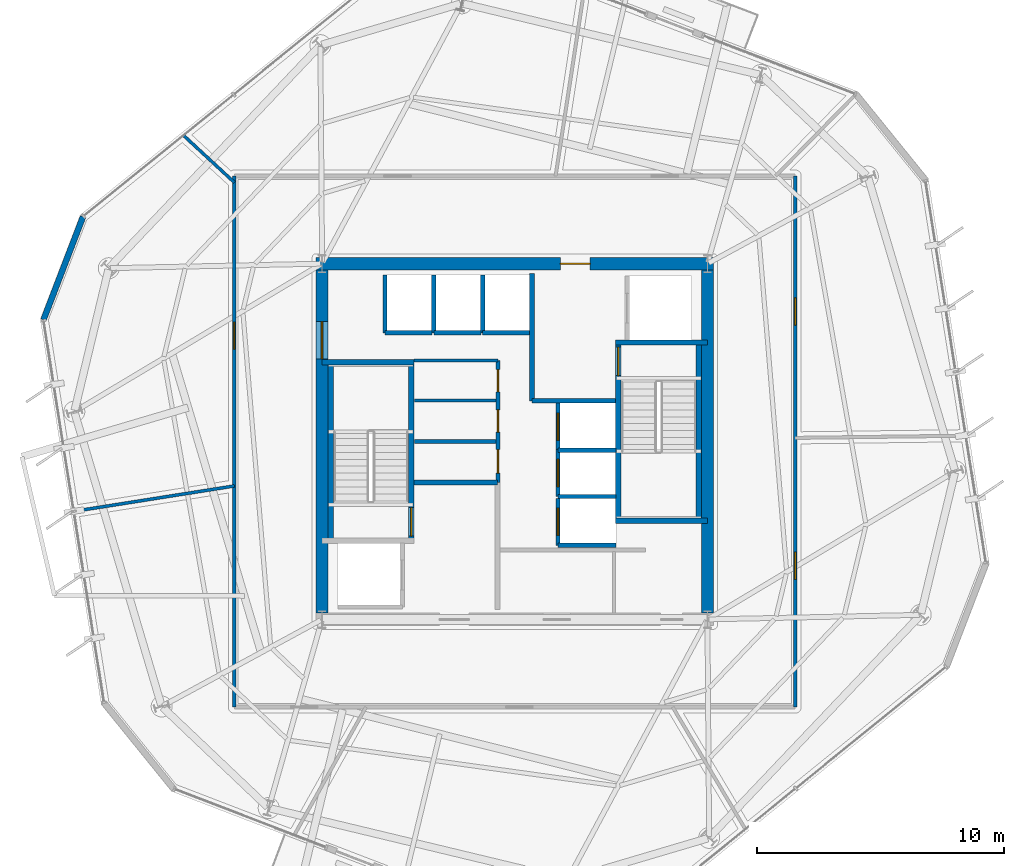
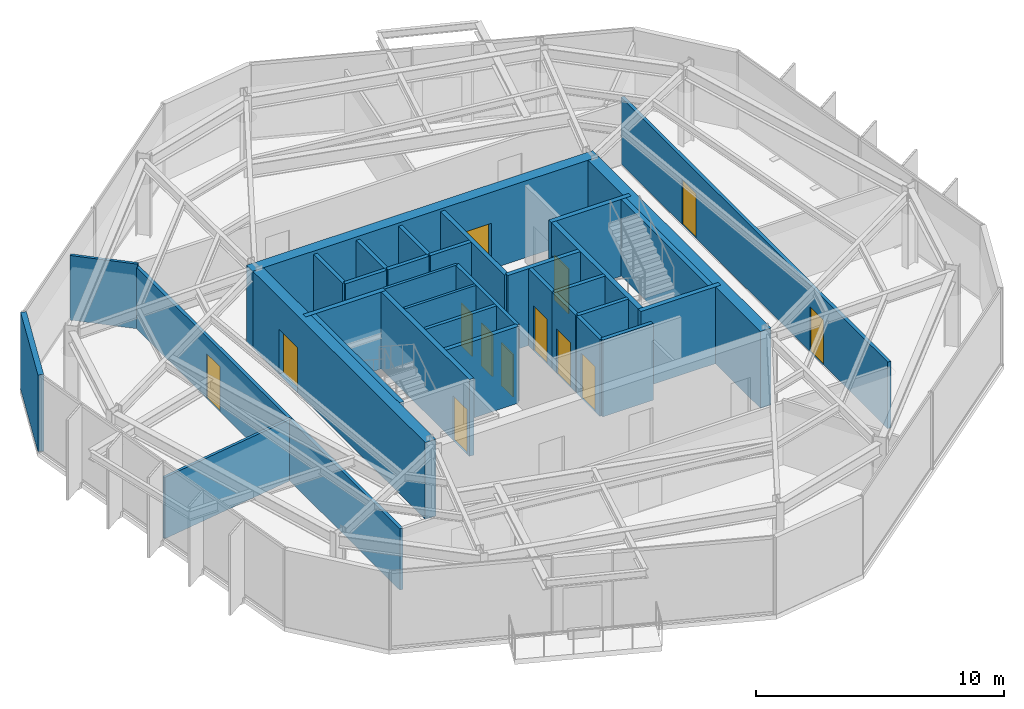
# One storey, part 7 of 12: 34 walls, 13 doors, 13 openings.
"""IFC4 building model written with IfcOpenShell, lengths in metres."""

from ifc_helpers import new_model, si_unit, direction, frame, frame_2d, origin, place, context, subcontext, project, spatial, rectangle, extrude, material, layer, layer_set, type_object, element, fill, save


model = new_model("IFC4")

# Units and contexts
model_context = context("Model", 3, precision=1e-05, world=origin(), true_north=direction((0.0, 1.0)))
body_context = subcontext(model_context, "Body", "Model", "MODEL_VIEW")
ifc_project = project(units=[si_unit("LENGTHUNIT", "METRE"), si_unit("AREAUNIT", "SQUARE_METRE"), si_unit("VOLUMEUNIT", "CUBIC_METRE"), si_unit("PLANEANGLEUNIT", "RADIAN"), si_unit("MASSUNIT", "GRAM", prefix="KILO")], contexts=[model_context])

# Site, building, storey
site_placement = place(None, origin())
site = spatial("IfcSite", under=ifc_project, at=site_placement, CompositionType="ELEMENT")
building_placement = place(site_placement, origin())
building = spatial("IfcBuilding", under=site, at=building_placement, Name="Kranzbogen Civic Tower", CompositionType="ELEMENT")
storey_placement = place(building_placement, frame((0.0, 0.0, 180.800048828125)))
storey = spatial("IfcBuildingStorey", under=building, at=storey_placement, Name="L43", CompositionType="ELEMENT", Elevation=180.800048828125)

# Wall, openings, doors
ifc_material_1 = material(Name="Double-Stud Acoustic Gypsum Partition")
ifc_layer_1 = layer(ifc_material_1, 0.14990234375, Name="Double-Stud Acoustic Gypsum Partition")
ifc_layer_set_1 = layer_set([ifc_layer_1], Name="Double-Stud Acoustic Gypsum Partition")
wall_type_1 = type_object("IfcWallType", Name="Acoustic Corridor and Clinical Partition 150 mm", PredefinedType="PARTITIONING", material=ifc_layer_set_1)
wall_1_placement = place(storey_placement, frame((36.35009765625, 35.75, 0.0), z_axis=(0.0, 0.0, 1.0), x_axis=(0.0, -1.0, 0.0)))
wall_1 = element("IfcWall", 1, at=wall_1_placement, inside=storey, type_object=wall_type_1, Name="L43 corridor partition 02", PredefinedType="PARTITIONING", context=body_context, shape_type="SweptSolid", body=[
    extrude(rectangle(XDim=21.5, YDim=0.14990234375, at=frame_2d((10.75, 0.0))), origin(), (0.0, 0.0, 1.0), 3.280029296875),
])
opening_1_placement = place(wall_1_placement, frame((15.22802734375, 0.0, 0.0)))
opening_1 = element("IfcOpeningElement", 2, at=opening_1_placement, cuts=wall_1, Name="Opening D-COR60", PredefinedType="OPENING", context=body_context, shape_type="SweptSolid", body=[
    extrude(rectangle(XDim=1.10009765625, YDim=2.199951171875, at=frame_2d((0.550048828125, 1.10009765625))), frame((0.0, 0.0849609375, 0.0), z_axis=(0.0, -1.0, 0.0), x_axis=(1.0, 0.0, 0.0)), (0.0, 0.0, 1.0), 0.169921875),
])
opening_2_placement = place(wall_1_placement, frame((4.93505859375, 0.0, 0.0)))
opening_2 = element("IfcOpeningElement", 3, at=opening_2_placement, cuts=wall_1, Name="Opening D-COR60", PredefinedType="OPENING", context=body_context, shape_type="SweptSolid", body=[
    extrude(rectangle(XDim=1.10009765625, YDim=2.199951171875, at=frame_2d((0.550048828125, 1.10009765625))), frame((0.0, 0.0849609375, 0.0), z_axis=(0.0, -1.0, 0.0), x_axis=(1.0, 0.0, 0.0)), (0.0, 0.0, 1.0), 0.169921875),
])
ifc_material_2 = material(Name="Oak Timber and Fire Core", Category="wood")
door_type_1 = type_object("IfcDoorType", Name="Corridor Acoustic Fire Door 1100x2200", OperationType="NOTDEFINED", PredefinedType="DOOR", material=ifc_material_2)
door_1_placement = place(opening_1_placement, origin())
door_1 = element("IfcDoor", 4, at=door_1_placement, inside=storey, type_object=door_type_1, Name="L43 Cultural Screening Clubroom door", OperationType="SINGLE_SWING_RIGHT", OverallHeight=2.199951171875, OverallWidth=1.10009765625, PredefinedType="DOOR", context=body_context, shape_type="SweptSolid", body=[
    extrude(rectangle(XDim=1.10009765625, YDim=2.199951171875, at=frame_2d((0.550048828125, 1.10009765625))), frame((0.0, 0.02490234375, 0.0), z_axis=(0.0, -1.0, 0.0), x_axis=(1.0, 0.0, 0.0)), (0.0, 0.0, 1.0), 0.050048828125),
])
fill(opening_1, door_1)
door_2_placement = place(opening_2_placement, origin())
door_2 = element("IfcDoor", 5, at=door_2_placement, inside=storey, type_object=door_type_1, Name="L43 Public Delegation Reception door", OperationType="SINGLE_SWING_LEFT", OverallHeight=2.199951171875, OverallWidth=1.10009765625, PredefinedType="DOOR", context=body_context, shape_type="SweptSolid", body=[
    extrude(rectangle(XDim=1.10009765625, YDim=2.199951171875, at=frame_2d((0.550048828125, 1.10009765625))), frame((0.0, 0.02490234375, 0.0), z_axis=(0.0, -1.0, 0.0), x_axis=(1.0, 0.0, 0.0)), (0.0, 0.0, 1.0), 0.050048828125),
])
fill(opening_2, door_2)

# Wall, opening, door
wall_2_placement = place(storey_placement, frame((13.64990234375, 14.25, 0.0), z_axis=(0.0, 0.0, 1.0), x_axis=(0.0, 1.0, 0.0)))
wall_2 = element("IfcWall", 6, at=wall_2_placement, inside=storey, type_object=wall_type_1, Name="L43 corridor partition 04", PredefinedType="PARTITIONING", context=body_context, shape_type="SweptSolid", body=[
    extrude(rectangle(XDim=21.5, YDim=0.14990234375, at=frame_2d((10.75, 0.0))), origin(), (0.0, 0.0, 1.0), 3.02001953125),
])
opening_3_placement = place(wall_2_placement, frame((14.488037109375, 0.0, 0.0)))
opening_3 = element("IfcOpeningElement", 7, at=opening_3_placement, cuts=wall_2, Name="Opening D-COR60", PredefinedType="OPENING", context=body_context, shape_type="SweptSolid", body=[
    extrude(rectangle(XDim=1.10009765625, YDim=2.199951171875, at=frame_2d((0.550048828125, 1.10009765625))), frame((0.0, 0.0849609375, 0.0), z_axis=(0.0, -1.0, 0.0), x_axis=(1.0, 0.0, 0.0)), (0.0, 0.0, 1.0), 0.169921875),
])
door_3_placement = place(opening_3_placement, origin())
door_3 = element("IfcDoor", 8, at=door_3_placement, inside=storey, type_object=door_type_1, Name="L43 Operations Security Control Room door", OperationType="SINGLE_SWING_RIGHT", OverallHeight=2.199951171875, OverallWidth=1.10009765625, PredefinedType="DOOR", context=body_context, shape_type="SweptSolid", body=[
    extrude(rectangle(XDim=1.10009765625, YDim=2.199951171875, at=frame_2d((0.550048828125, 1.10009765625))), frame((0.0, 0.02490234375, 0.0), z_axis=(0.0, -1.0, 0.0), x_axis=(1.0, 0.0, 0.0)), (0.0, 0.0, 1.0), 0.050048828125),
])
fill(opening_3, door_3)

# Walls
ifc_material_3 = material(Name="Insulated Metal-Stud Gypsum Partition")
ifc_layer_2 = layer(ifc_material_3, 0.125, Name="Insulated Metal-Stud Gypsum Partition")
ifc_layer_set_2 = layer_set([ifc_layer_2], Name="Insulated Metal-Stud Gypsum Partition")
wall_type_2 = type_object("IfcWallType", Name="Acoustic Inter-Room Partition 125 mm", PredefinedType="PARTITIONING", material=ifc_layer_set_2)
wall_3_placement = place(storey_placement, frame((20.919921875, 28.280029296875, 0.0), z_axis=(0.0, 0.0, 1.0), x_axis=(1.0, 0.0, 0.0)))
element("IfcWall", 9, at=wall_3_placement, inside=storey, type_object=wall_type_2, Name="L43 core auxiliary North wall", PredefinedType="PARTITIONING", context=body_context, shape_type="SweptSolid", body=[
    extrude(rectangle(XDim=3.405029296875, YDim=0.125, at=frame_2d((1.70263671875, 0.0))), origin(), (0.0, 0.0, 1.0), 3.780029296875),
])
wall_4_placement = place(storey_placement, frame((20.949951171875, 26.659912109375, 0.0), z_axis=(0.0, 0.0, 1.0), x_axis=(1.0, 0.0, 0.0)))
element("IfcWall", 10, at=wall_4_placement, inside=storey, type_object=wall_type_2, Name="L43 core auxiliary partition 3", PredefinedType="PARTITIONING", context=body_context, shape_type="SweptSolid", body=[
    extrude(rectangle(XDim=3.300048828125, YDim=0.125, at=frame_2d((1.64990234375, 0.0))), origin(), (0.0, 0.0, 1.0), 3.780029296875),
])
wall_5_placement = place(storey_placement, frame((13.64990234375, 35.488037109375, 0.0), z_axis=(0.0, 0.0, 1.0), x_axis=(-0.7343000475, 0.678825043911, 0.0)))
element("IfcWall", 11, at=wall_5_placement, inside=storey, type_object=wall_type_2, Name="L43 radial room partition 02", PredefinedType="PARTITIONING", context=body_context, shape_type="SweptSolid", body=[
    extrude(rectangle(XDim=2.790283203125, YDim=0.125, at=frame_2d((1.39501953125, 0.0))), origin(), (0.0, 0.0, 1.0), 3.179931640625),
])
wall_6_placement = place(storey_placement, frame((13.64990234375, 23.201904296875, 0.0), z_axis=(0.0, 0.0, 1.0), x_axis=(-0.987709828036, -0.156298738322, 0.0)))
element("IfcWall", 12, at=wall_6_placement, inside=storey, type_object=wall_type_2, Name="L43 radial room partition 03", PredefinedType="PARTITIONING", context=body_context, shape_type="SweptSolid", body=[
    extrude(rectangle(XDim=6.5634765625, YDim=0.125, at=frame_2d((3.28173828125, 0.0))), origin(), (0.0, 0.0, 1.0), 3.02001953125),
])

# Wall, opening, door
ifc_material_4 = material(Name="Concrete C45/55", Category="concrete")
ifc_layer_3 = layer(ifc_material_4, 0.5, Name="Concrete C45/55")
ifc_layer_set_3 = layer_set([ifc_layer_3], Name="Concrete C45/55")
wall_type_3 = type_object("IfcWallType", Name="Central Core Shear Wall 500 mm", PredefinedType="SHEAR", material=ifc_layer_set_3)
wall_7_placement = place(storey_placement, frame((33.050048828125, 32.199951171875, 0.0), z_axis=(0.0, 0.0, 1.0), x_axis=(-1.0, 0.0, 0.0)))
wall_7 = element("IfcWall", 13, at=wall_7_placement, inside=storey, type_object=wall_type_3, Name="L43 central core North shear wall", PredefinedType="SHEAR", context=body_context, shape_type="SweptSolid", body=[
    extrude(rectangle(XDim=16.10009765625, YDim=0.5, at=frame_2d((8.050048828125, 0.0))), origin(), (0.0, 0.0, 1.0), 3.780029296875),
])
opening_4_placement = place(wall_7_placement, frame((5.0, 0.0, 0.0)))
opening_4 = element("IfcOpeningElement", 14, at=opening_4_placement, cuts=wall_7, Name="Opening D-EX120", PredefinedType="OPENING", context=body_context, shape_type="SweptSolid", body=[
    extrude(rectangle(XDim=1.199951171875, YDim=2.25, at=frame_2d((0.60009765625, 1.125))), frame((0.0, 0.260009765625, 0.0), z_axis=(0.0, -1.0, 0.0), x_axis=(1.0, 0.0, 0.0)), (0.0, 0.0, 1.0), 0.52001953125),
])
ifc_material_5 = material(Name="Steel S355", Category="steel")
door_type_2 = type_object("IfcDoorType", Name="Exit Passageway Fire Door 1200x2250", OperationType="NOTDEFINED", PredefinedType="DOOR", material=ifc_material_5)
door_4_placement = place(opening_4_placement, origin())
door_4 = element("IfcDoor", 15, at=door_4_placement, inside=storey, type_object=door_type_2, Name="L43 East firefighting lobby corridor door", OperationType="SINGLE_SWING_RIGHT", OverallHeight=2.25, OverallWidth=1.199951171875, PredefinedType="DOOR", context=body_context, shape_type="SweptSolid", body=[
    extrude(rectangle(XDim=1.199951171875, YDim=2.25, at=frame_2d((0.60009765625, 1.125))), frame((0.0, 0.02490234375, 0.0), z_axis=(0.0, -1.0, 0.0), x_axis=(1.0, 0.0, 0.0)), (0.0, 0.0, 1.0), 0.050048828125),
])
fill(opening_4, door_4)

wall_8_placement = place(storey_placement, frame((17.199951171875, 31.949951171875, 0.0), z_axis=(0.0, 0.0, 1.0), x_axis=(0.0, -1.0, 0.0)))
wall_8 = element("IfcWall", 16, at=wall_8_placement, inside=storey, type_object=wall_type_3, Name="L43 central core West shear wall", PredefinedType="SHEAR", context=body_context, shape_type="SweptSolid", body=[
    extrude(rectangle(XDim=13.89990234375, YDim=0.5, at=frame_2d((6.949951171875, 0.0))), origin(), (0.0, 0.0, 1.0), 3.780029296875),
])
opening_5_placement = place(wall_8_placement, frame((2.10009765625, 0.0, 0.0)))
opening_5 = element("IfcOpeningElement", 17, at=opening_5_placement, cuts=wall_8, Name="Opening D-DBL15", PredefinedType="OPENING", context=body_context, shape_type="SweptSolid", body=[
    extrude(rectangle(XDim=1.5, YDim=2.199951171875, at=frame_2d((0.75, 1.10009765625))), frame((0.0, 0.260009765625, 0.0), z_axis=(0.0, -1.0, 0.0), x_axis=(1.0, 0.0, 0.0)), (0.0, 0.0, 1.0), 0.52001953125),
])
ifc_material_6 = material(Name="Anodised Bronze and Glass", Category="glass")
door_type_3 = type_object("IfcDoorType", Name="Civic Lobby Double Door 1500x2200", OperationType="DOUBLE_DOOR_SINGLE_SWING", PredefinedType="DOOR", material=ifc_material_6)
door_5_placement = place(opening_5_placement, origin())
door_5 = element("IfcDoor", 18, at=door_5_placement, inside=storey, type_object=door_type_3, Name="L43 Central Lift Lobby West concourse door", OperationType="DOUBLE_DOOR_SINGLE_SWING", OverallHeight=2.199951171875, OverallWidth=1.5, PredefinedType="DOOR", context=body_context, shape_type="SweptSolid", body=[
    extrude(rectangle(XDim=1.5, YDim=2.199951171875, at=frame_2d((0.75, 1.10009765625))), frame((0.0, 0.02490234375, 0.0), z_axis=(0.0, -1.0, 0.0), x_axis=(1.0, 0.0, 0.0)), (0.0, 0.0, 1.0), 0.050048828125),
])
fill(opening_5, door_5)

# Wall
wall_9_placement = place(storey_placement, frame((32.800048828125, 18.050048828125, 0.0), z_axis=(0.0, 0.0, 1.0), x_axis=(0.0, 1.0, 0.0)))
element("IfcWall", 19, at=wall_9_placement, inside=storey, type_object=wall_type_3, Name="L43 central core East shear wall", PredefinedType="SHEAR", context=body_context, shape_type="SweptSolid", body=[
    extrude(rectangle(XDim=13.89990234375, YDim=0.5, at=frame_2d((6.949951171875, 0.0))), origin(), (0.0, 0.0, 1.0), 3.780029296875),
])

# Wall, opening, door
ifc_layer_4 = layer(ifc_material_4, 0.219970703125, Name="Concrete C45/55")
ifc_layer_set_4 = layer_set([ifc_layer_4], Name="Concrete C45/55")
wall_type_4 = type_object("IfcWallType", Name="Core Internal Stair Structural Wall 220 mm", PredefinedType="SOLIDWALL", material=ifc_layer_set_4)
wall_10_placement = place(storey_placement, frame((20.81005859375, 20.989990234375, 0.0), z_axis=(0.0, 0.0, 1.0), x_axis=(0.0, 1.0, 0.0)))
wall_10 = element("IfcWall", 20, at=wall_10_placement, inside=storey, type_object=wall_type_4, Name="L43 ST-T1 East structural stair wall", PredefinedType="SOLIDWALL", context=body_context, shape_type="SweptSolid", body=[
    extrude(rectangle(XDim=7.219970703125, YDim=0.219970703125, at=frame_2d((3.60986328125, 0.0))), origin(), (0.0, 0.0, 1.0), 3.780029296875),
])
opening_6_placement = place(wall_10_placement, frame((0.179931640625, 0.0, 0.0)))
opening_6 = element("IfcOpeningElement", 21, at=opening_6_placement, cuts=wall_10, Name="Opening D-ST90", PredefinedType="OPENING", context=body_context, shape_type="SweptSolid", body=[
    extrude(rectangle(XDim=1.14990234375, YDim=2.199951171875, at=frame_2d((0.574951171875, 1.10009765625))), frame((0.0, 0.1201171875, 0.0), z_axis=(0.0, -1.0, 0.0), x_axis=(1.0, 0.0, 0.0)), (0.0, 0.0, 1.0), 0.239990234375),
])
door_type_4 = type_object("IfcDoorType", Name="Pressurized Stair and Lobby Fire Door 1150x2200", OperationType="NOTDEFINED", PredefinedType="DOOR", material=ifc_material_5)
door_6_placement = place(opening_6_placement, origin())
door_6 = element("IfcDoor", 22, at=door_6_placement, inside=storey, type_object=door_type_4, Name="L43 Stair ST-T1 fire door", OperationType="SINGLE_SWING_LEFT", OverallHeight=2.199951171875, OverallWidth=1.14990234375, PredefinedType="DOOR", context=body_context, shape_type="SweptSolid", body=[
    extrude(rectangle(XDim=1.14990234375, YDim=2.199951171875, at=frame_2d((0.574951171875, 1.10009765625))), frame((0.0, 0.02490234375, 0.0), z_axis=(0.0, -1.0, 0.0), x_axis=(1.0, 0.0, 0.0)), (0.0, 0.0, 1.0), 0.050048828125),
])
fill(opening_6, door_6)

# Walls
wall_11_placement = place(storey_placement, frame((17.199951171875, 28.2099609375, 0.0), z_axis=(0.0, 0.0, 1.0), x_axis=(1.0, 0.0, 0.0)))
element("IfcWall", 23, at=wall_11_placement, inside=storey, type_object=wall_type_4, Name="L43 ST-T1 North structural stair wall", PredefinedType="SOLIDWALL", context=body_context, shape_type="SweptSolid", body=[
    extrude(rectangle(XDim=3.719970703125, YDim=0.219970703125, at=frame_2d((1.85986328125, 0.0))), origin(), (0.0, 0.0, 1.0), 3.780029296875),
])
wall_12_placement = place(storey_placement, frame((17.554931640625, 28.2099609375, 0.0), z_axis=(0.0, 0.0, 1.0), x_axis=(0.0, -1.0, 0.0)))
element("IfcWall", 24, at=wall_12_placement, inside=storey, type_object=wall_type_4, Name="L43 ST-T1 West structural stair wall", PredefinedType="SOLIDWALL", context=body_context, shape_type="SweptSolid", body=[
    extrude(rectangle(XDim=7.219970703125, YDim=0.219970703125, at=frame_2d((3.60986328125, 0.0))), origin(), (0.0, 0.0, 1.0), 3.780029296875),
])

# Wall, opening, door
wall_13_placement = place(storey_placement, frame((29.18994140625, 21.7900390625, 0.0), z_axis=(0.0, 0.0, 1.0), x_axis=(0.0, 1.0, 0.0)))
wall_13 = element("IfcWall", 25, at=wall_13_placement, inside=storey, type_object=wall_type_4, Name="L43 ST-T2 West structural stair wall", PredefinedType="SOLIDWALL", context=body_context, shape_type="SweptSolid", body=[
    extrude(rectangle(XDim=7.219970703125, YDim=0.219970703125, at=frame_2d((3.60986328125, 0.0))), origin(), (0.0, 0.0, 1.0), 3.780029296875),
])
opening_7_placement = place(wall_13_placement, frame((5.8798828125, 0.0, 0.0)))
opening_7 = element("IfcOpeningElement", 26, at=opening_7_placement, cuts=wall_13, Name="Opening D-ST90", PredefinedType="OPENING", context=body_context, shape_type="SweptSolid", body=[
    extrude(rectangle(XDim=1.14990234375, YDim=2.199951171875, at=frame_2d((0.574951171875, 1.10009765625))), frame((0.0, 0.1201171875, 0.0), z_axis=(0.0, -1.0, 0.0), x_axis=(1.0, 0.0, 0.0)), (0.0, 0.0, 1.0), 0.239990234375),
])
door_7_placement = place(opening_7_placement, origin())
door_7 = element("IfcDoor", 27, at=door_7_placement, inside=storey, type_object=door_type_4, Name="L43 Stair ST-T2 fire door", OperationType="SINGLE_SWING_RIGHT", OverallHeight=2.199951171875, OverallWidth=1.14990234375, PredefinedType="DOOR", context=body_context, shape_type="SweptSolid", body=[
    extrude(rectangle(XDim=1.14990234375, YDim=2.199951171875, at=frame_2d((0.574951171875, 1.10009765625))), frame((0.0, 0.02490234375, 0.0), z_axis=(0.0, -1.0, 0.0), x_axis=(1.0, 0.0, 0.0)), (0.0, 0.0, 1.0), 0.050048828125),
])
fill(opening_7, door_7)

# Walls
for number, where, z_axis, x_axis, name in (
    (28, (29.080078125, 21.7900390625, 0.0), (0.0, 0.0, 1.0), (1.0, 0.0, 0.0), "L43 ST-T2 South structural stair wall"),
    (29, (29.080078125, 29.010009765625, 0.0), (0.0, 0.0, 1.0), (1.0, 0.0, 0.0), "L43 ST-T2 North structural stair wall"),
):
    element("IfcWall", number, at=place(storey_placement, frame(where, z_axis=z_axis, x_axis=x_axis)), inside=storey, type_object=wall_type_4, Name=name, PredefinedType="SOLIDWALL", context=body_context, shape_type="SweptSolid", body=[
        extrude(rectangle(XDim=3.719970703125, YDim=0.219970703125, at=frame_2d((1.85986328125, 0.0))), origin(), (0.0, 0.0, 1.0), 3.780029296875),
    ])
wall_14_placement = place(storey_placement, frame((32.445068359375, 29.010009765625, 0.0), z_axis=(0.0, 0.0, 1.0), x_axis=(0.0, -1.0, 0.0)))
element("IfcWall", 30, at=wall_14_placement, inside=storey, type_object=wall_type_4, Name="L43 ST-T2 East structural stair wall", PredefinedType="SOLIDWALL", context=body_context, shape_type="SweptSolid", body=[
    extrude(rectangle(XDim=7.219970703125, YDim=0.219970703125, at=frame_2d((3.60986328125, 0.0))), origin(), (0.0, 0.0, 1.0), 3.780029296875),
])
ifc_material_7 = material(Name="Gypsum Fireboard and Concrete Block", Category="concrete")
ifc_layer_5 = layer(ifc_material_7, 0.199951171875, Name="Gypsum Fireboard and Concrete Block")
ifc_layer_set_5 = layer_set([ifc_layer_5], Name="Gypsum Fireboard and Concrete Block")
wall_type_5 = type_object("IfcWallType", Name="Fire-Rated Exit Passageway and Stair Wall 200 mm", PredefinedType="PARTITIONING", material=ifc_layer_set_5)
wall_15_placement = place(storey_placement, frame((20.919921875, 23.35009765625, 0.0), z_axis=(0.0, 0.0, 1.0), x_axis=(1.0, 0.0, 0.0)))
element("IfcWall", 31, at=wall_15_placement, inside=storey, type_object=wall_type_5, Name="L43 West firefighting lobby North wall", PredefinedType="PARTITIONING", context=body_context, shape_type="SweptSolid", body=[
    extrude(rectangle(XDim=3.380126953125, YDim=0.199951171875, at=frame_2d((1.68994140625, 0.0))), origin(), (0.0, 0.0, 1.0), 3.780029296875),
])
wall_16_placement = place(storey_placement, frame((25.699951171875, 26.64990234375, 0.0), z_axis=(0.0, 0.0, 1.0), x_axis=(0.0, 1.0, 0.0)))
element("IfcWall", 32, at=wall_16_placement, inside=storey, type_object=wall_type_5, Name="L43 East firefighting lobby West wall", PredefinedType="PARTITIONING", context=body_context, shape_type="SweptSolid", body=[
    extrude(rectangle(XDim=5.150146484375, YDim=0.199951171875, at=frame_2d((2.5751953125, 0.0))), origin(), (0.0, 0.0, 1.0), 3.780029296875),
])
wall_17_placement = place(storey_placement, frame((25.699951171875, 26.64990234375, 0.0), z_axis=(0.0, 0.0, 1.0), x_axis=(1.0, 0.0, 0.0)))
element("IfcWall", 33, at=wall_17_placement, inside=storey, type_object=wall_type_5, Name="L43 East firefighting lobby South wall", PredefinedType="PARTITIONING", context=body_context, shape_type="SweptSolid", body=[
    extrude(rectangle(XDim=3.380126953125, YDim=0.199951171875, at=frame_2d((1.68994140625, 0.0))), origin(), (0.0, 0.0, 1.0), 3.780029296875),
])
ifc_material_8 = material(Name="Gypsum Fireboard Shaftliner")
ifc_layer_6 = layer(ifc_material_8, 0.175048828125, Name="Gypsum Fireboard Shaftliner")
ifc_layer_set_6 = layer_set([ifc_layer_6], Name="Gypsum Fireboard Shaftliner")
wall_type_6 = type_object("IfcWallType", Name="Fire-Rated Lift and Service Shaft Wall 175 mm", PredefinedType="PARTITIONING", material=ifc_layer_set_6)
wall_18_placement = place(storey_placement, frame((19.75, 29.39990234375, 0.0), z_axis=(0.0, 0.0, 1.0), x_axis=(1.0, 0.0, 0.0)))
element("IfcWall", 34, at=wall_18_placement, inside=storey, type_object=wall_type_6, Name="L43 lift MP-01 rear wall", PredefinedType="PARTITIONING", context=body_context, shape_type="SweptSolid", body=[
    extrude(rectangle(XDim=1.89990234375, YDim=0.175048828125, at=frame_2d((0.949951171875, 0.0))), origin(), (0.0, 0.0, 1.0), 3.780029296875),
])
wall_19_placement = place(storey_placement, frame((19.75, 29.39990234375, 0.0), z_axis=(0.0, 0.0, 1.0), x_axis=(0.0, 1.0, 0.0)))
element("IfcWall", 35, at=wall_19_placement, inside=storey, type_object=wall_type_6, Name="L43 lift MP-01 side wall", PredefinedType="PARTITIONING", context=body_context, shape_type="SweptSolid", body=[
    extrude(rectangle(XDim=2.35009765625, YDim=0.175048828125, at=frame_2d((1.175048828125, 0.0))), origin(), (0.0, 0.0, 1.0), 3.780029296875),
])
wall_20_placement = place(storey_placement, frame((21.72509765625, 29.39990234375, 0.0), z_axis=(0.0, 0.0, 1.0), x_axis=(1.0, 0.0, 0.0)))
element("IfcWall", 36, at=wall_20_placement, inside=storey, type_object=wall_type_6, Name="L43 lift MP-02 rear wall", PredefinedType="PARTITIONING", context=body_context, shape_type="SweptSolid", body=[
    extrude(rectangle(XDim=1.89990234375, YDim=0.175048828125, at=frame_2d((0.949951171875, 0.0))), origin(), (0.0, 0.0, 1.0), 3.780029296875),
])
wall_21_placement = place(storey_placement, frame((21.72509765625, 29.39990234375, 0.0), z_axis=(0.0, 0.0, 1.0), x_axis=(0.0, 1.0, 0.0)))
element("IfcWall", 37, at=wall_21_placement, inside=storey, type_object=wall_type_6, Name="L43 lift MP-02 side wall", PredefinedType="PARTITIONING", context=body_context, shape_type="SweptSolid", body=[
    extrude(rectangle(XDim=2.35009765625, YDim=0.175048828125, at=frame_2d((1.175048828125, 0.0))), origin(), (0.0, 0.0, 1.0), 3.780029296875),
])
wall_22_placement = place(storey_placement, frame((23.699951171875, 29.39990234375, 0.0), z_axis=(0.0, 0.0, 1.0), x_axis=(1.0, 0.0, 0.0)))
element("IfcWall", 38, at=wall_22_placement, inside=storey, type_object=wall_type_6, Name="L43 lift MP-03 rear wall", PredefinedType="PARTITIONING", context=body_context, shape_type="SweptSolid", body=[
    extrude(rectangle(XDim=1.900146484375, YDim=0.175048828125, at=frame_2d((0.9501953125, 0.0))), origin(), (0.0, 0.0, 1.0), 3.780029296875),
])
wall_23_placement = place(storey_placement, frame((23.699951171875, 29.39990234375, 0.0), z_axis=(0.0, 0.0, 1.0), x_axis=(0.0, 1.0, 0.0)))
element("IfcWall", 39, at=wall_23_placement, inside=storey, type_object=wall_type_6, Name="L43 lift MP-03 side wall", PredefinedType="PARTITIONING", context=body_context, shape_type="SweptSolid", body=[
    extrude(rectangle(XDim=2.35009765625, YDim=0.175048828125, at=frame_2d((1.175048828125, 0.0))), origin(), (0.0, 0.0, 1.0), 3.780029296875),
])

# Wall, opening, door
wall_24_placement = place(storey_placement, frame((26.75, 20.800048828125, 0.0), z_axis=(0.0, 0.0, 1.0), x_axis=(0.0, 1.0, 0.0)))
wall_24 = element("IfcWall", 40, at=wall_24_placement, inside=storey, type_object=wall_type_6, Name="L43 lift HP-01 landing wall", PredefinedType="PARTITIONING", context=body_context, shape_type="SweptSolid", body=[
    extrude(rectangle(XDim=1.89990234375, YDim=0.175048828125, at=frame_2d((0.949951171875, 0.0))), origin(), (0.0, 0.0, 1.0), 3.780029296875),
])
opening_8_placement = place(wall_24_placement, frame((0.39990234375, 0.0, 0.0)))
opening_8 = element("IfcOpeningElement", 41, at=opening_8_placement, cuts=wall_24, Name="Opening LD-HP-01", PredefinedType="OPENING", context=body_context, shape_type="SweptSolid", body=[
    extrude(rectangle(XDim=1.10009765625, YDim=2.199951171875, at=frame_2d((0.550048828125, 1.10009765625))), frame((0.0, 0.09765625, 0.0), z_axis=(0.0, -1.0, 0.0), x_axis=(1.0, 0.0, 0.0)), (0.0, 0.0, 1.0), 0.195068359375),
])
ifc_material_9 = material(Name="Pale Anodised Aluminium", Category="aluminium")
door_type_5 = type_object("IfcDoorType", Name="Passenger Lift Sliding Landing Door 1100x2200", OperationType="DOUBLE_DOOR_SLIDING", PredefinedType="DOOR", material=ifc_material_9)
door_8_placement = place(opening_8_placement, origin())
door_8 = element("IfcDoor", 42, at=door_8_placement, inside=storey, type_object=door_type_5, Name="L43 lift HP-01 sliding landing door", OperationType="DOUBLE_DOOR_SLIDING", OverallHeight=2.199951171875, OverallWidth=1.10009765625, PredefinedType="DOOR", context=body_context, shape_type="SweptSolid", body=[
    extrude(rectangle(XDim=1.10009765625, YDim=2.199951171875, at=frame_2d((0.550048828125, 1.10009765625))), frame((0.0, 0.02490234375, 0.0), z_axis=(0.0, -1.0, 0.0), x_axis=(1.0, 0.0, 0.0)), (0.0, 0.0, 1.0), 0.050048828125),
])
fill(opening_8, door_8)

# Wall
wall_25_placement = place(storey_placement, frame((26.75, 20.800048828125, 0.0), z_axis=(0.0, 0.0, 1.0), x_axis=(1.0, 0.0, 0.0)))
element("IfcWall", 43, at=wall_25_placement, inside=storey, type_object=wall_type_6, Name="L43 lift HP-01 side wall", PredefinedType="PARTITIONING", context=body_context, shape_type="SweptSolid", body=[
    extrude(rectangle(XDim=2.35009765625, YDim=0.175048828125, at=frame_2d((1.175048828125, 0.0))), origin(), (0.0, 0.0, 1.0), 3.780029296875),
])

# Wall, opening, door
wall_26_placement = place(storey_placement, frame((26.75, 22.77490234375, 0.0), z_axis=(0.0, 0.0, 1.0), x_axis=(0.0, 1.0, 0.0)))
wall_26 = element("IfcWall", 44, at=wall_26_placement, inside=storey, type_object=wall_type_6, Name="L43 lift HP-02 landing wall", PredefinedType="PARTITIONING", context=body_context, shape_type="SweptSolid", body=[
    extrude(rectangle(XDim=1.900146484375, YDim=0.175048828125, at=frame_2d((0.9501953125, 0.0))), origin(), (0.0, 0.0, 1.0), 3.780029296875),
])
opening_9_placement = place(wall_26_placement, frame((0.39990234375, 0.0, 0.0)))
opening_9 = element("IfcOpeningElement", 45, at=opening_9_placement, cuts=wall_26, Name="Opening LD-HP-02", PredefinedType="OPENING", context=body_context, shape_type="SweptSolid", body=[
    extrude(rectangle(XDim=1.10009765625, YDim=2.199951171875, at=frame_2d((0.550048828125, 1.10009765625))), frame((0.0, 0.09765625, 0.0), z_axis=(0.0, -1.0, 0.0), x_axis=(1.0, 0.0, 0.0)), (0.0, 0.0, 1.0), 0.195068359375),
])
door_9_placement = place(opening_9_placement, origin())
door_9 = element("IfcDoor", 46, at=door_9_placement, inside=storey, type_object=door_type_5, Name="L43 lift HP-02 sliding landing door", OperationType="DOUBLE_DOOR_SLIDING", OverallHeight=2.199951171875, OverallWidth=1.10009765625, PredefinedType="DOOR", context=body_context, shape_type="SweptSolid", body=[
    extrude(rectangle(XDim=1.10009765625, YDim=2.199951171875, at=frame_2d((0.550048828125, 1.10009765625))), frame((0.0, 0.02490234375, 0.0), z_axis=(0.0, -1.0, 0.0), x_axis=(1.0, 0.0, 0.0)), (0.0, 0.0, 1.0), 0.050048828125),
])
fill(opening_9, door_9)

# Wall
wall_27_placement = place(storey_placement, frame((26.75, 22.77490234375, 0.0), z_axis=(0.0, 0.0, 1.0), x_axis=(1.0, 0.0, 0.0)))
element("IfcWall", 47, at=wall_27_placement, inside=storey, type_object=wall_type_6, Name="L43 lift HP-02 side wall", PredefinedType="PARTITIONING", context=body_context, shape_type="SweptSolid", body=[
    extrude(rectangle(XDim=2.35009765625, YDim=0.175048828125, at=frame_2d((1.175048828125, 0.0))), origin(), (0.0, 0.0, 1.0), 3.780029296875),
])

# Wall, opening, door
wall_28_placement = place(storey_placement, frame((26.75, 24.64990234375, 0.0), z_axis=(0.0, 0.0, 1.0), x_axis=(0.0, 1.0, 0.0)))
wall_28 = element("IfcWall", 48, at=wall_28_placement, inside=storey, type_object=wall_type_6, Name="L43 lift HP-03 landing wall", PredefinedType="PARTITIONING", context=body_context, shape_type="SweptSolid", body=[
    extrude(rectangle(XDim=1.900146484375, YDim=0.175048828125, at=frame_2d((0.9501953125, 0.0))), origin(), (0.0, 0.0, 1.0), 3.780029296875),
])
opening_10_placement = place(wall_28_placement, frame((0.39990234375, 0.0, 0.0)))
opening_10 = element("IfcOpeningElement", 49, at=opening_10_placement, cuts=wall_28, Name="Opening LD-HP-03", PredefinedType="OPENING", context=body_context, shape_type="SweptSolid", body=[
    extrude(rectangle(XDim=1.10009765625, YDim=2.199951171875, at=frame_2d((0.550048828125, 1.10009765625))), frame((0.0, 0.09765625, 0.0), z_axis=(0.0, -1.0, 0.0), x_axis=(1.0, 0.0, 0.0)), (0.0, 0.0, 1.0), 0.195068359375),
])
door_10_placement = place(opening_10_placement, origin())
door_10 = element("IfcDoor", 50, at=door_10_placement, inside=storey, type_object=door_type_5, Name="L43 lift HP-03 sliding landing door", OperationType="DOUBLE_DOOR_SLIDING", OverallHeight=2.199951171875, OverallWidth=1.10009765625, PredefinedType="DOOR", context=body_context, shape_type="SweptSolid", body=[
    extrude(rectangle(XDim=1.10009765625, YDim=2.199951171875, at=frame_2d((0.550048828125, 1.10009765625))), frame((0.0, 0.02490234375, 0.0), z_axis=(0.0, -1.0, 0.0), x_axis=(1.0, 0.0, 0.0)), (0.0, 0.0, 1.0), 0.050048828125),
])
fill(opening_10, door_10)

# Walls
wall_29_placement = place(storey_placement, frame((26.75, 24.64990234375, 0.0), z_axis=(0.0, 0.0, 1.0), x_axis=(1.0, 0.0, 0.0)))
element("IfcWall", 51, at=wall_29_placement, inside=storey, type_object=wall_type_6, Name="L43 lift HP-03 side wall", PredefinedType="PARTITIONING", context=body_context, shape_type="SweptSolid", body=[
    extrude(rectangle(XDim=2.35009765625, YDim=0.175048828125, at=frame_2d((1.175048828125, 0.0))), origin(), (0.0, 0.0, 1.0), 3.780029296875),
])
ifc_layer_7 = layer(ifc_material_9, 0.239990234375, Name="Pale Anodised Aluminium")
ifc_layer_set_7 = layer_set([ifc_layer_7], Name="Pale Anodised Aluminium")
wall_type_7 = type_object("IfcWallType", Name="Insulated Aluminium Facade Portal Wall 240 mm", PredefinedType="STANDARD", material=ifc_layer_set_7)
wall_30_placement = place(storey_placement, frame((7.52294921875, 34.10107421875, 0.0), z_axis=(0.0, 0.0, 1.0), x_axis=(-0.358114682982, -0.933677607011, 0.0)))
element("IfcWall", 52, at=wall_30_placement, inside=storey, type_object=wall_type_7, Name="L43 chamfered corner facade spandrel 2", PredefinedType="STANDARD", context=body_context, shape_type="SweptSolid", body=[
    extrude(rectangle(XDim=4.467529296875, YDim=0.239990234375, at=frame_2d((2.23388671875, 0.0))), origin(), (0.0, 0.0, 1.0), 3.780029296875),
])

# Wall, openings, doors
ifc_material_10 = material(Name="Moisture-Resistant Gypsum Assembly")
ifc_layer_8 = layer(ifc_material_10, 0.159912109375, Name="Moisture-Resistant Gypsum Assembly")
ifc_layer_set_8 = layer_set([ifc_layer_8], Name="Moisture-Resistant Gypsum Assembly")
wall_type_8 = type_object("IfcWallType", Name="Sanitary and Plumbing Wet Wall 160 mm", PredefinedType="PLUMBINGWALL", material=ifc_layer_set_8)
wall_31_placement = place(storey_placement, frame((24.324951171875, 23.35009765625, 0.0), z_axis=(0.0, 0.0, 1.0), x_axis=(0.0, 1.0, 0.0)))
wall_31 = element("IfcWall", 53, at=wall_31_placement, inside=storey, type_object=wall_type_8, Name="L43 core auxiliary East wall", PredefinedType="PLUMBINGWALL", context=body_context, shape_type="SweptSolid", body=[
    extrude(rectangle(XDim=4.929931640625, YDim=0.159912109375, at=frame_2d((2.46484375, 0.0))), origin(), (0.0, 0.0, 1.0), 3.780029296875),
])
opening_11_placement = place(wall_31_placement, frame((0.375, 0.0, 0.0)))
opening_11 = element("IfcOpeningElement", 54, at=opening_11_placement, cuts=wall_31, Name="Opening D-AWC95", PredefinedType="OPENING", context=body_context, shape_type="SweptSolid", body=[
    extrude(rectangle(XDim=0.949951171875, YDim=2.10009765625, at=frame_2d((0.47509765625, 1.050048828125))), frame((0.0, 0.08984375, 0.0), z_axis=(0.0, -1.0, 0.0), x_axis=(1.0, 0.0, 0.0)), (0.0, 0.0, 1.0), 0.179931640625),
])
opening_12_placement = place(wall_31_placement, frame((2.034912109375, 0.0, 0.0)))
opening_12 = element("IfcOpeningElement", 55, at=opening_12_placement, cuts=wall_31, Name="Opening D-WC90", PredefinedType="OPENING", context=body_context, shape_type="SweptSolid", body=[
    extrude(rectangle(XDim=0.89990234375, YDim=2.10009765625, at=frame_2d((0.449951171875, 1.050048828125))), frame((0.0, 0.08984375, 0.0), z_axis=(0.0, -1.0, 0.0), x_axis=(1.0, 0.0, 0.0)), (0.0, 0.0, 1.0), 0.179931640625),
])
opening_13_placement = place(wall_31_placement, frame((3.659912109375, 0.0, 0.0)))
opening_13 = element("IfcOpeningElement", 56, at=opening_13_placement, cuts=wall_31, Name="Opening D-WC90", PredefinedType="OPENING", context=body_context, shape_type="SweptSolid", body=[
    extrude(rectangle(XDim=0.89990234375, YDim=2.10009765625, at=frame_2d((0.449951171875, 1.050048828125))), frame((0.0, 0.08984375, 0.0), z_axis=(0.0, -1.0, 0.0), x_axis=(1.0, 0.0, 0.0)), (0.0, 0.0, 1.0), 0.179931640625),
])
ifc_material_11 = material(Name="Moisture-Resistant Laminate")
door_type_6 = type_object("IfcDoorType", Name="Accessible Restroom Door 950x2100", OperationType="NOTDEFINED", PredefinedType="DOOR", material=ifc_material_11)
door_11_placement = place(opening_11_placement, origin())
door_11 = element("IfcDoor", 57, at=door_11_placement, inside=storey, type_object=door_type_6, Name="L43 Accessible Restroom door", OperationType="SINGLE_SWING_LEFT", OverallHeight=2.10009765625, OverallWidth=0.949951171875, PredefinedType="DOOR", context=body_context, shape_type="SweptSolid", body=[
    extrude(rectangle(XDim=0.949951171875, YDim=2.10009765625, at=frame_2d((0.47509765625, 1.050048828125))), frame((0.0, 0.02490234375, 0.0), z_axis=(0.0, -1.0, 0.0), x_axis=(1.0, 0.0, 0.0)), (0.0, 0.0, 1.0), 0.050048828125),
])
fill(opening_11, door_11)
door_type_7 = type_object("IfcDoorType", Name="Standard Restroom and Store Door 900x2100", OperationType="NOTDEFINED", PredefinedType="DOOR", material=ifc_material_11)
door_12_placement = place(opening_12_placement, origin())
door_12 = element("IfcDoor", 58, at=door_12_placement, inside=storey, type_object=door_type_7, Name="L43 Staff Restroom door", OperationType="SINGLE_SWING_RIGHT", OverallHeight=2.10009765625, OverallWidth=0.89990234375, PredefinedType="DOOR", context=body_context, shape_type="SweptSolid", body=[
    extrude(rectangle(XDim=0.89990234375, YDim=2.10009765625, at=frame_2d((0.449951171875, 1.050048828125))), frame((0.0, 0.02490234375, 0.0), z_axis=(0.0, -1.0, 0.0), x_axis=(1.0, 0.0, 0.0)), (0.0, 0.0, 1.0), 0.050048828125),
])
fill(opening_12, door_12)
door_13_placement = place(opening_13_placement, origin())
door_13 = element("IfcDoor", 59, at=door_13_placement, inside=storey, type_object=door_type_7, Name="L43 Cleaner and Janitor Store door", OperationType="SINGLE_SWING_LEFT", OverallHeight=2.10009765625, OverallWidth=0.89990234375, PredefinedType="DOOR", context=body_context, shape_type="SweptSolid", body=[
    extrude(rectangle(XDim=0.89990234375, YDim=2.10009765625, at=frame_2d((0.449951171875, 1.050048828125))), frame((0.0, 0.02490234375, 0.0), z_axis=(0.0, -1.0, 0.0), x_axis=(1.0, 0.0, 0.0)), (0.0, 0.0, 1.0), 0.050048828125),
])
fill(opening_13, door_13)

# Wall
wall_32_placement = place(storey_placement, frame((20.949951171875, 25.010009765625, 0.0), z_axis=(0.0, 0.0, 1.0), x_axis=(1.0, 0.0, 0.0)))
element("IfcWall", 60, at=wall_32_placement, inside=storey, type_object=wall_type_8, Name="L43 core auxiliary partition 2", PredefinedType="PLUMBINGWALL", context=body_context, shape_type="SweptSolid", body=[
    extrude(rectangle(XDim=3.300048828125, YDim=0.159912109375, at=frame_2d((1.64990234375, 0.0))), origin(), (0.0, 0.0, 1.0), 3.780029296875),
])

save(model, "model.ifc")
